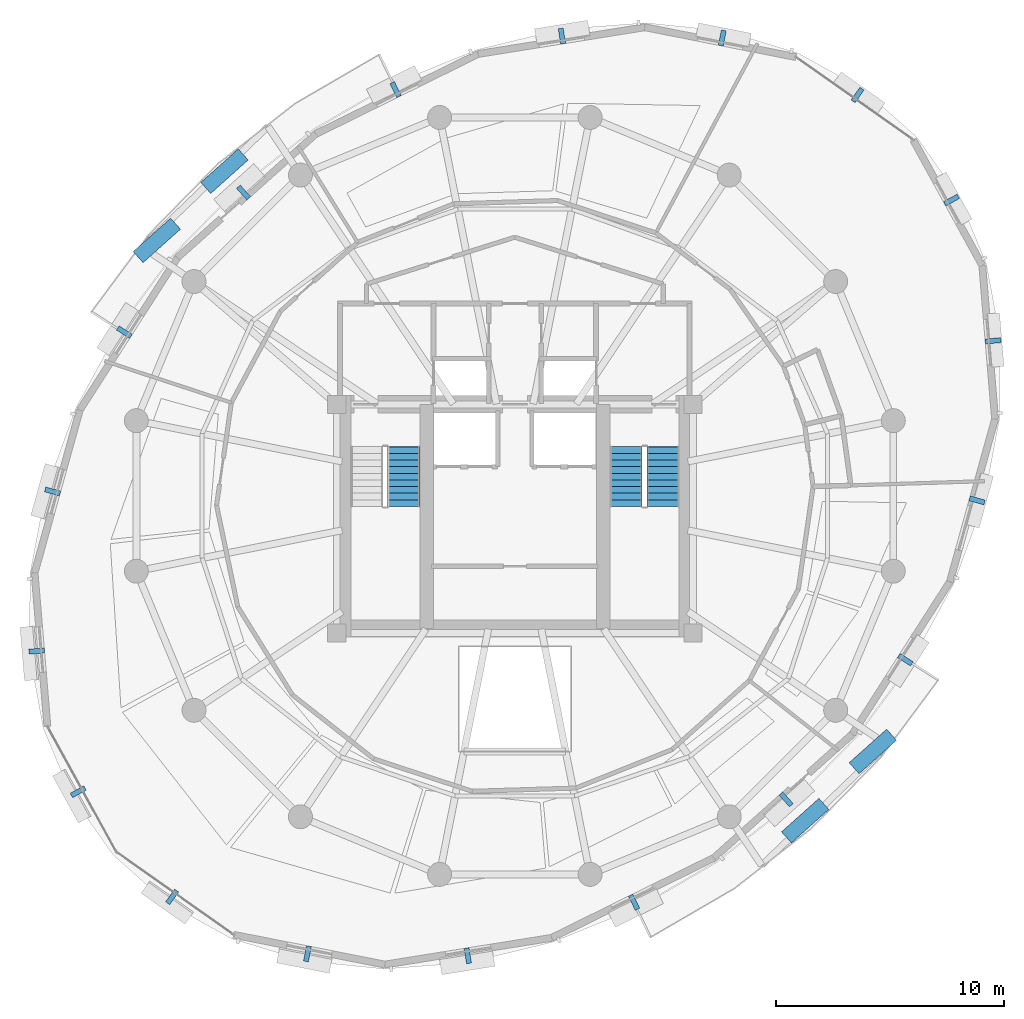
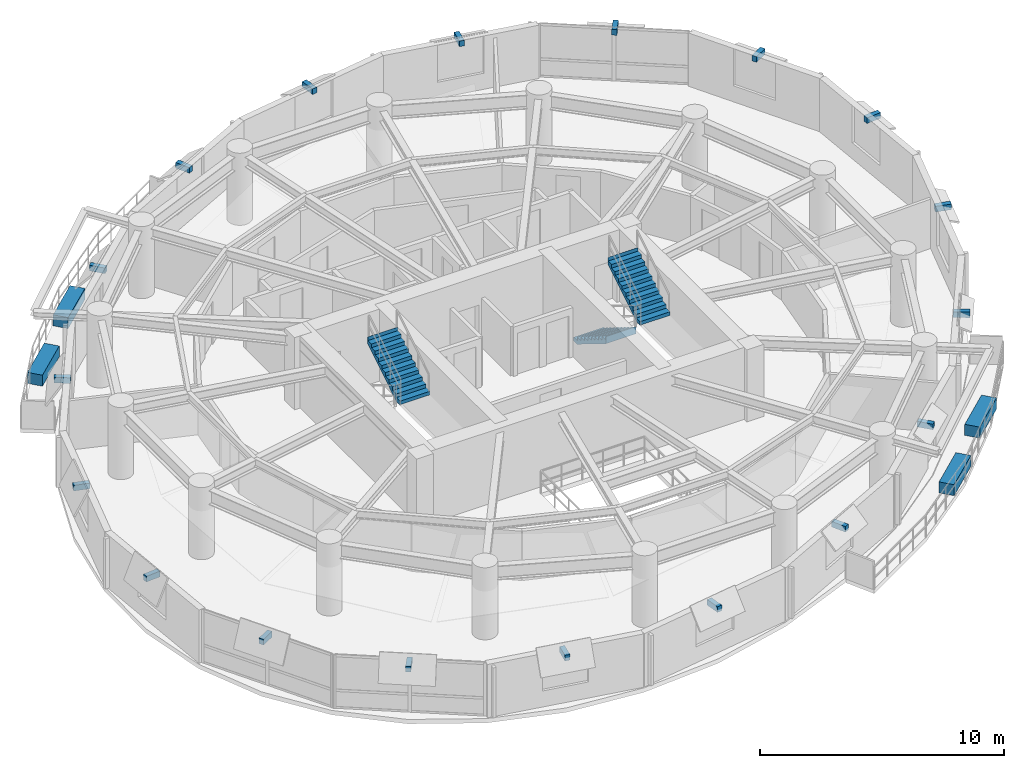
# One storey, part 10 of 12: 22 discrete accessories, 3 stair flights, 2 elements without a shape of their own.
"""IFC4 building model written with IfcOpenShell, lengths in metres."""

from ifc_helpers import new_model, si_unit, direction, frame, origin, origin_2d, place, context, subcontext, project, spatial, polyline, rectangle, outline, extrude, material, type_object, element, aggregate, save


model = new_model("IFC4")

# Units and contexts
model_context = context("Model", 3, precision=1e-05, world=origin(), true_north=direction((0.0, 1.0)))
body_context = subcontext(model_context, "Body", "Model", "MODEL_VIEW")
ifc_project = project(units=[si_unit("LENGTHUNIT", "METRE"), si_unit("AREAUNIT", "SQUARE_METRE"), si_unit("VOLUMEUNIT", "CUBIC_METRE"), si_unit("PLANEANGLEUNIT", "RADIAN"), si_unit("MASSUNIT", "GRAM", prefix="KILO"), si_unit("THERMODYNAMICTEMPERATUREUNIT", "KELVIN"), si_unit("POWERUNIT", "WATT")], contexts=[model_context])

# Site, building, storey
site_placement = place(None, origin())
site = spatial("IfcSite", under=ifc_project, at=site_placement, CompositionType="ELEMENT")
building_placement = place(site_placement, origin())
building = spatial("IfcBuilding", under=site, at=building_placement, Name="Ocrelia Relay Tower", CompositionType="ELEMENT")
storey_placement = place(building_placement, frame((0.0, 0.0, 206.0)))
storey = spatial("IfcBuildingStorey", under=building, at=storey_placement, Name="L50", CompositionType="ELEMENT", Elevation=206.0)

# Stair, stair flight
ifc_material_1 = material(Name="Concrete C50/60", Category="concrete")
stair_type = type_object("IfcStairType", Name="ST-DL-1420-R180", PredefinedType="HALF_TURN_STAIR", material=ifc_material_1)
stair_1_placement = place(storey_placement, origin())
stair_1 = element("IfcStair", 1, at=stair_1_placement, inside=storey, type_object=stair_type, Name="L50 West Core Exit Stair ST1", PredefinedType="HALF_TURN_STAIR")
stair_flight_type = type_object("IfcStairFlightType", Name="STF-DL-1420-R180", PredefinedType="STRAIGHT", material=ifc_material_1)
stair_flight_1_placement = place(storey_placement, frame((29.139892578125, 25.5400390625, 1.800048828125), z_axis=(0.0, 0.0, 1.0), x_axis=(0.0, 1.0, 0.0)))
stair_flight_1 = element("IfcStairFlight", 2, at=stair_flight_1_placement, type_object=stair_flight_type, Name="ST1 flight 2", NumberOfRisers=10, NumberOfTreads=9, PredefinedType="STRAIGHT", RiserHeight=0.18, TreadLength=0.29, context=body_context, shape_type="SweptSolid", body=[
    extrude(outline(polyline([(-0.008056640625, 0.0), (-0.008056640625, 0.179931640625), (0.0, 0.179931640625), (0.2900390625, 0.179931640625), (0.2900390625, 0.360107421875), (0.580078125, 0.360107421875), (0.580078125, 0.5400390625), (0.8701171875, 0.5400390625), (0.8701171875, 0.719970703125), (1.159912109375, 0.719970703125), (1.159912109375, 0.89990234375), (1.449951171875, 0.89990234375), (1.449951171875, 1.080078125), (1.739990234375, 1.080078125), (1.739990234375, 1.260009765625), (2.030029296875, 1.260009765625), (2.030029296875, 1.43994140625), (2.320068359375, 1.43994140625), (2.320068359375, 1.6201171875), (2.610107421875, 1.6201171875), (2.610107421875, 1.800048828125), (2.617919921875, 1.800048828125), (2.617919921875, 1.443603515625), (0.2841796875, 0.0), (-0.008056640625, 0.0)])), frame((0.0, 0.7099609375, 0.0), z_axis=(0.0, -1.0, 0.0), x_axis=(1.0, 0.0, 0.0)), (0.0, 0.0, 1.0), 1.419921875),
])
aggregate(stair_1, [stair_flight_1])

# Stair, stair flights
stair_2_placement = place(storey_placement, origin())
stair_2 = element("IfcStair", 3, at=stair_2_placement, inside=storey, type_object=stair_type, Name="L50 East Core Exit Stair ST2", PredefinedType="HALF_TURN_STAIR")
stair_flight_2_placement = place(storey_placement, frame((38.8701171875, 28.14990234375, 0.0), z_axis=(0.0, 0.0, 1.0), x_axis=(0.0, -1.0, 0.0)))
stair_flight_2 = element("IfcStairFlight", 4, at=stair_flight_2_placement, type_object=stair_flight_type, Name="ST2 flight 1", NumberOfRisers=10, NumberOfTreads=9, PredefinedType="STRAIGHT", RiserHeight=0.18, TreadLength=0.29, context=body_context, shape_type="SweptSolid", body=[
    extrude(outline(polyline([(-0.008056640625, 0.0), (-0.008056640625, 0.179931640625), (0.0, 0.179931640625), (0.2900390625, 0.179931640625), (0.2900390625, 0.360107421875), (0.580078125, 0.360107421875), (0.580078125, 0.5400390625), (0.8701171875, 0.5400390625), (0.8701171875, 0.719970703125), (1.159912109375, 0.719970703125), (1.159912109375, 0.89990234375), (1.449951171875, 0.89990234375), (1.449951171875, 1.080078125), (1.739990234375, 1.080078125), (1.739990234375, 1.260009765625), (2.030029296875, 1.260009765625), (2.030029296875, 1.43994140625), (2.320068359375, 1.43994140625), (2.320068359375, 1.6201171875), (2.610107421875, 1.6201171875), (2.610107421875, 1.800048828125), (2.617919921875, 1.800048828125), (2.617919921875, 1.443603515625), (0.2841796875, 0.0), (-0.008056640625, 0.0)])), frame((0.0, 0.7099609375, 0.0), z_axis=(0.0, -1.0, 0.0), x_axis=(1.0, 0.0, 0.0)), (0.0, 0.0, 1.0), 1.419921875),
])
stair_flight_3_placement = place(storey_placement, frame((40.489990234375, 25.5400390625, 1.800048828125), z_axis=(0.0, 0.0, 1.0), x_axis=(0.0, 1.0, 0.0)))
stair_flight_3 = element("IfcStairFlight", 5, at=stair_flight_3_placement, type_object=stair_flight_type, Name="ST2 flight 2", NumberOfRisers=10, NumberOfTreads=9, PredefinedType="STRAIGHT", RiserHeight=0.18, TreadLength=0.29, context=body_context, shape_type="SweptSolid", body=[
    extrude(outline(polyline([(-0.008056640625, 0.0), (-0.008056640625, 0.179931640625), (0.0, 0.179931640625), (0.2900390625, 0.179931640625), (0.2900390625, 0.360107421875), (0.580078125, 0.360107421875), (0.580078125, 0.5400390625), (0.8701171875, 0.5400390625), (0.8701171875, 0.719970703125), (1.159912109375, 0.719970703125), (1.159912109375, 0.89990234375), (1.449951171875, 0.89990234375), (1.449951171875, 1.080078125), (1.739990234375, 1.080078125), (1.739990234375, 1.260009765625), (2.030029296875, 1.260009765625), (2.030029296875, 1.43994140625), (2.320068359375, 1.43994140625), (2.320068359375, 1.6201171875), (2.610107421875, 1.6201171875), (2.610107421875, 1.800048828125), (2.617919921875, 1.800048828125), (2.617919921875, 1.443603515625), (0.2841796875, 0.0), (-0.008056640625, 0.0)])), frame((0.0, 0.7099609375, 0.0), z_axis=(0.0, -1.0, 0.0), x_axis=(1.0, 0.0, 0.0)), (0.0, 0.0, 1.0), 1.419921875),
])
aggregate(stair_2, [stair_flight_2, stair_flight_3])

# Discrete accessories
ifc_material_2 = material(Name="Precast concrete C40/50 planter with highland greenery", Category="concrete")
discrete_accessory_type_1 = type_object("IfcDiscreteAccessoryType", Name="ACC-BALC-PLANTER", PredefinedType="USERDEFINED", material=ifc_material_2)
for number, where, z_axis, x_axis, name in (
    (6, (21.284423828125, 40.2216796875, 0.0), (0.0, 0.0, 1.0), (0.745484545593, 0.666522912046, 0.0), "L50 Balcony Terracotta Planter with Greenery B1"),
    (7, (18.3203125, 37.191162109375, 0.0), (0.0, 0.0, 1.0), (0.745484545593, 0.666522912046, 0.0), "L50 Balcony Terracotta Planter B1-2"),
    (8, (46.715576171875, 11.7783203125, 0.0), (0.0, 0.0, 1.0), (-0.745484545593, -0.666522912046, 0.0), "L50 Balcony Terracotta Planter with Greenery B2"),
    (9, (49.6796875, 14.808837890625, 0.0), (0.0, 0.0, 1.0), (-0.745484545593, -0.666522912046, 0.0), "L50 Balcony Terracotta Planter B2-2"),
):
    element("IfcDiscreteAccessory", number, at=place(storey_placement, frame(where, z_axis=z_axis, x_axis=x_axis)), inside=storey, type_object=discrete_accessory_type_1, Name=name, ObjectType="PLANTER", PredefinedType="USERDEFINED", context=body_context, shape_type="SweptSolid", body=[
        extrude(rectangle(XDim=2.199951171875, YDim=0.64990234375, at=origin_2d()), origin(), (0.0, 0.0, 1.0), 0.550048828125),
    ])
ifc_material_3 = material(Name="Steel S355", Category="steel")
discrete_accessory_type_2 = type_object("IfcDiscreteAccessoryType", Name="ACC-VISOR-BRACKET", PredefinedType="BRACKET", material=ifc_material_3)
for number, where, z_axis, x_axis, name in (
    (10, (49.0078125, 43.560546875, 2.35986328125), (0.0, 0.0, 1.0), (-0.816946248172, 0.576713817762, 0.0), "L50 Visor Mounting Bracket 01"),
    (11, (43.085205078125, 46.054931640625, 2.35986328125), (0.0, 0.0, 1.0), (-0.981102330066, 0.193489580956, 0.0), "L50 Visor Mounting Bracket 02"),
    (12, (36.06201171875, 46.138916015625, 2.35986328125), (0.0, 0.0, 1.0), (-0.987400277531, -0.158242509873, 0.0), "L50 Visor Mounting Bracket 03"),
    (13, (28.7783203125, 43.794189453125, 2.35986328125), (0.0, 0.0, 1.0), (-0.896938449796, -0.442155422083, 0.0), "L50 Visor Mounting Bracket 04"),
    (14, (22.116943359375, 39.290283203125, 2.35986328125), (0.0, 0.0, 1.0), (-0.745472659088, -0.666536206483, 0.0), "L50 Visor Mounting Bracket 05"),
    (15, (16.89892578125, 33.172607421875, 2.35986328125), (0.0, 0.0, 1.0), (-0.539387998988, -0.842057353479, 0.0), "L50 Visor Mounting Bracket 06"),
    (16, (13.756591796875, 26.195556640625, 2.35986328125), (0.0, 0.0, 1.0), (-0.267307095451, -0.963611393001, 0.0), "L50 Visor Mounting Bracket 07"),
    (17, (13.057373046875, 19.206787109375, 2.35986328125), (0.0, 0.0, 1.0), (0.082920329561, -0.996556179523, 0.0), "L50 Visor Mounting Bracket 08"),
    (18, (14.8759765625, 13.043212890625, 2.35986328125), (0.0, 0.0, 1.0), (0.482049498647, -0.876143984088, 0.0), "L50 Visor Mounting Bracket 09"),
    (19, (18.9921875, 8.439453125, 2.35986328125), (0.0, 0.0, 1.0), (0.816946248172, -0.576713817762, 0.0), "L50 Visor Mounting Bracket 10"),
    (20, (24.914794921875, 5.945068359375, 2.35986328125), (0.0, 0.0, 1.0), (0.981102330066, -0.193489580956, 0.0), "L50 Visor Mounting Bracket 11"),
    (21, (31.93798828125, 5.861083984375, 2.35986328125), (0.0, 0.0, 1.0), (0.987400277531, 0.158242509873, 0.0), "L50 Visor Mounting Bracket 12"),
    (22, (39.2216796875, 8.205810546875, 2.35986328125), (0.0, 0.0, 1.0), (0.896938449796, 0.442155422083, 0.0), "L50 Visor Mounting Bracket 13"),
    (23, (45.883056640625, 12.709716796875, 2.35986328125), (0.0, 0.0, 1.0), (0.745472659088, 0.666536206483, 0.0), "L50 Visor Mounting Bracket 14"),
    (24, (51.10107421875, 18.827392578125, 2.35986328125), (0.0, 0.0, 1.0), (0.539387998988, 0.842057353479, 0.0), "L50 Visor Mounting Bracket 15"),
    (25, (54.243408203125, 25.804443359375, 2.35986328125), (0.0, 0.0, 1.0), (0.267307095451, 0.963611393001, 0.0), "L50 Visor Mounting Bracket 16"),
    (26, (54.942626953125, 32.793212890625, 2.35986328125), (0.0, 0.0, 1.0), (-0.082920329561, 0.996556179523, 0.0), "L50 Visor Mounting Bracket 17"),
    (27, (53.1240234375, 38.956787109375, 2.35986328125), (0.0, 0.0, 1.0), (-0.482049498647, 0.876143984088, 0.0), "L50 Visor Mounting Bracket 18"),
):
    element("IfcDiscreteAccessory", number, at=place(storey_placement, frame(where, z_axis=z_axis, x_axis=x_axis)), inside=storey, type_object=discrete_accessory_type_2, Name=name, PredefinedType="BRACKET", context=body_context, shape_type="SweptSolid", body=[
        extrude(rectangle(XDim=0.219970703125, YDim=0.679931640625, at=origin_2d()), origin(), (0.0, 0.0, 1.0), 0.280029296875),
    ])

save(model, "model.ifc")
